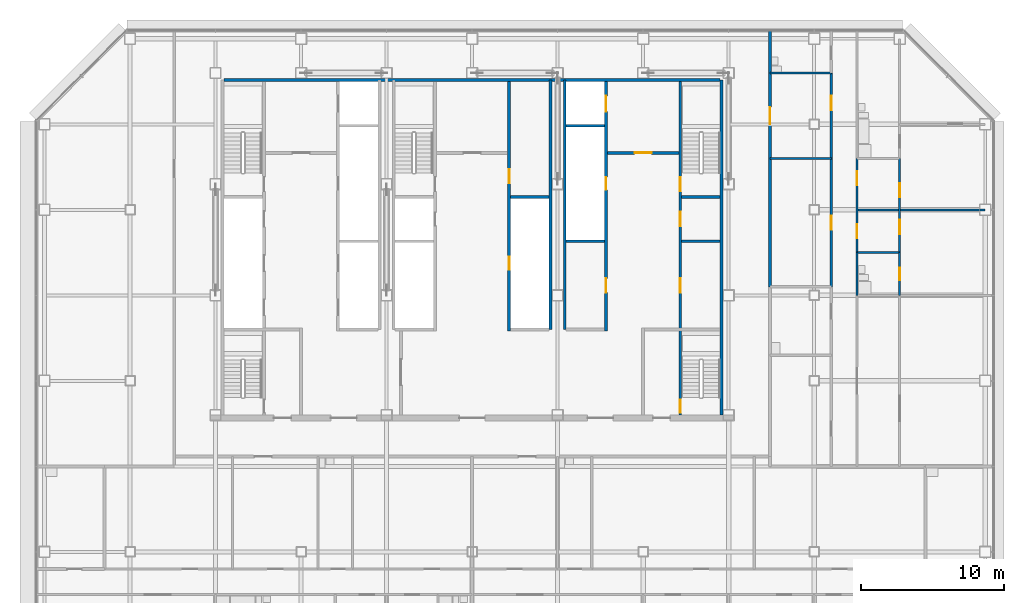
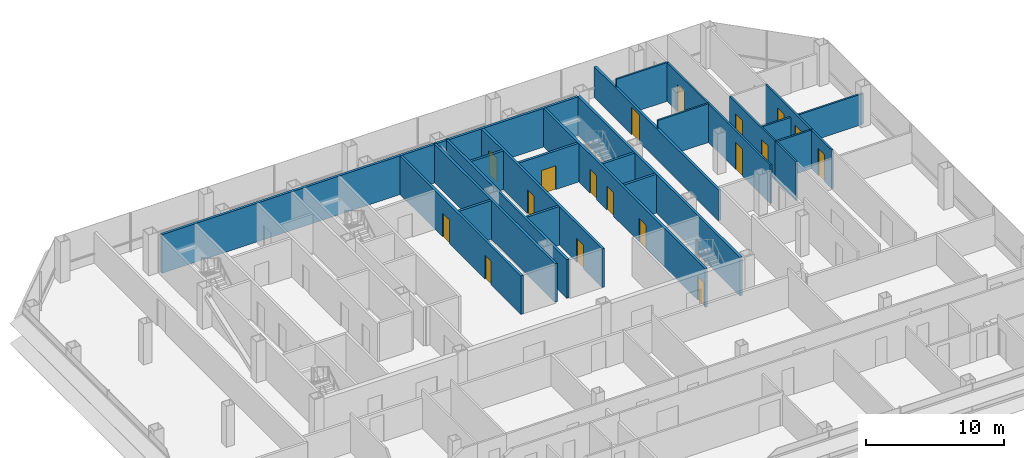
# One storey, part 22 of 25: 23 walls, 18 doors, 18 openings.
"""IFC4 building model written with IfcOpenShell, lengths in metres."""

from ifc_helpers import new_model, si_unit, direction, frame, frame_2d, origin, place, context, subcontext, project, spatial, rectangle, extrude, material, layer, layer_set, type_object, element, fill, save


model = new_model("IFC4")

# Units and contexts
model_context = context("Model", 3, precision=1e-05, world=origin(), true_north=direction((0.0, 1.0)))
body_context = subcontext(model_context, "Body", "Model", "MODEL_VIEW")
ifc_project = project(units=[si_unit("LENGTHUNIT", "METRE"), si_unit("AREAUNIT", "SQUARE_METRE"), si_unit("VOLUMEUNIT", "CUBIC_METRE"), si_unit("PLANEANGLEUNIT", "RADIAN"), si_unit("MASSUNIT", "GRAM", prefix="KILO")], contexts=[model_context])

# Site, building, storey
site_placement = place(None, origin())
site = spatial("IfcSite", under=ifc_project, at=site_placement, CompositionType="ELEMENT")
building_placement = place(site_placement, origin())
building = spatial("IfcBuilding", under=site, at=building_placement, Name="Sorahane Residences", CompositionType="ELEMENT")
storey_placement = place(building_placement, frame((0.0, 0.0, 143.800048828125)))
storey = spatial("IfcBuildingStorey", under=building, at=storey_placement, Name="L32", CompositionType="ELEMENT", Elevation=143.800048828125)

# Walls
ifc_material_1 = material(Name="Concrete C30", Category="concrete")
ifc_layer_1 = layer(ifc_material_1, 0.199951171875)
ifc_layer_set_1 = layer_set([ifc_layer_1], Name="Core face wall 200 EI 180")
wall_type_1 = type_object("IfcWallType", Name="Core face wall 200 EI 180", PredefinedType="SOLIDWALL", material=ifc_layer_set_1)
wall_1_placement = place(storey_placement, frame((41.5, 21.60009765625, 0.0), z_axis=(0.0, 0.0, 1.0), x_axis=(0.0, 1.0, 0.0)))
element("IfcWall", 1, at=wall_1_placement, inside=storey, type_object=wall_type_1, Name="L32 core face wall", PredefinedType="SOLIDWALL", context=body_context, shape_type="SweptSolid", body=[
    extrude(rectangle(XDim=23.5, YDim=0.199951171875, at=frame_2d((11.75, 0.0))), origin(), (0.0, 0.0, 1.0), 3.419921875),
])
wall_2_placement = place(storey_placement, frame((6.60009765625, 45.10009765625, 0.0), z_axis=(0.0, 0.0, 1.0), x_axis=(1.0, 0.0, 0.0)))
element("IfcWall", 2, at=wall_2_placement, inside=storey, type_object=wall_type_1, Name="L32 core face wall", PredefinedType="SOLIDWALL", context=body_context, shape_type="SweptSolid", body=[
    extrude(rectangle(XDim=34.7998046875, YDim=0.199951171875, at=frame_2d((17.39990234375, 0.0))), origin(), (0.0, 0.0, 1.0), 3.419921875),
])
for number, where, z_axis, x_axis, name in (
    (3, (29.5, 27.60009765625, 0.0), (0.0, 0.0, 1.0), (0.0, 1.0, 0.0), "L32 core face wall"),
    (4, (30.5, 27.60009765625, 0.0), (0.0, 0.0, 1.0), (0.0, 1.0, 0.0), "L32 core face wall"),
):
    element("IfcWall", number, at=place(storey_placement, frame(where, z_axis=z_axis, x_axis=x_axis)), inside=storey, type_object=wall_type_1, Name=name, PredefinedType="SOLIDWALL", context=body_context, shape_type="SweptSolid", body=[
        extrude(rectangle(XDim=17.5, YDim=0.199951171875, at=frame_2d((8.75, 0.0))), origin(), (0.0, 0.0, 1.0), 3.419921875),
    ])

# Wall, opening, door
ifc_material_2 = material(Name="Concrete blockwork C20 wall", Category="masonry")
ifc_layer_2 = layer(ifc_material_2, 0.199951171875)
ifc_layer_set_2 = layer_set([ifc_layer_2], Name="Corridor wall 200 EI 120")
wall_type_2 = type_object("IfcWallType", Name="Corridor wall 200 EI 120", PredefinedType="SOLIDWALL", material=ifc_layer_set_2)
wall_3_placement = place(storey_placement, frame((44.89990234375, 30.60009765625, 0.0), z_axis=(0.0, 0.0, 1.0), x_axis=(0.0, 1.0, 0.0)))
wall_3 = element("IfcWall", 5, at=wall_3_placement, inside=storey, type_object=wall_type_2, Name="L32 corridor wall", PredefinedType="SOLIDWALL", context=body_context, shape_type="SweptSolid", body=[
    extrude(rectangle(XDim=18.0, YDim=0.199951171875, at=frame_2d((9.0, 0.0))), origin(), (0.0, 0.0, 1.0), 2.719970703125),
])
opening_1_placement = place(wall_3_placement, frame((11.39990234375, 0.0, 0.0)))
opening_1 = element("IfcOpeningElement", 6, at=opening_1_placement, cuts=wall_3, Name="Opening L32-44", PredefinedType="OPENING", context=body_context, shape_type="SweptSolid", body=[
    extrude(rectangle(XDim=1.199951171875, YDim=2.39990234375, at=frame_2d((0.60009765625, 1.199951171875))), frame((0.0, 0.10986328125, 0.0), z_axis=(0.0, -1.0, 0.0), x_axis=(1.0, 0.0, 0.0)), (0.0, 0.0, 1.0), 0.219970703125),
])
ifc_material_3 = material(Name="Timber veneered fire door", Category="wood")
door_type_1 = type_object("IfcDoorType", Name="Flat entrance door 1200x2400 FD60", OperationType="NOTDEFINED", PredefinedType="DOOR", material=ifc_material_3)
door_1_placement = place(opening_1_placement, frame((1.199951171875, 0.0, 0.0), z_axis=(0.0, 0.0, 1.0), x_axis=(-1.0, 0.0, 0.0)))
door_1 = element("IfcDoor", 7, at=door_1_placement, inside=storey, type_object=door_type_1, Name="Flat entrance door L32-44", OperationType="SINGLE_SWING_LEFT", OverallHeight=2.39990234375, OverallWidth=1.199951171875, PredefinedType="DOOR", context=body_context, shape_type="SweptSolid", body=[
    extrude(rectangle(XDim=1.199951171875, YDim=2.39990234375, at=frame_2d((0.60009765625, 1.199951171875))), frame((0.0, 0.02490234375, 0.0), z_axis=(0.0, -1.0, 0.0), x_axis=(1.0, 0.0, 0.0)), (0.0, 0.0, 1.0), 0.050048828125),
])
fill(opening_1, door_1)

ifc_material_4 = material(Name="Concrete C30", Category="concrete")
ifc_layer_3 = layer(ifc_material_4, 0.199951171875)
ifc_layer_set_3 = layer_set([ifc_layer_3], Name="Front room wall 200 EI 120")
wall_type_3 = type_object("IfcWallType", Name="Front room wall 200 EI 120", PredefinedType="PARTITIONING", material=ifc_layer_set_3)
wall_4_placement = place(storey_placement, frame((33.5, 40.0, 0.0), z_axis=(0.0, 0.0, 1.0), x_axis=(1.0, 0.0, 0.0)))
wall_4 = element("IfcWall", 8, at=wall_4_placement, inside=storey, type_object=wall_type_3, Name="L32 front room wall", PredefinedType="PARTITIONING", context=body_context, shape_type="SweptSolid", body=[
    extrude(rectangle(XDim=5.0, YDim=0.199951171875, at=frame_2d((2.5, 0.0))), origin(), (0.0, 0.0, 1.0), 3.419921875),
])
opening_2_placement = place(wall_4_placement, frame((1.89990234375, 0.0, 0.0)))
opening_2 = element("IfcOpeningElement", 9, at=opening_2_placement, cuts=wall_4, Name="Opening L32-C09", PredefinedType="OPENING", context=body_context, shape_type="SweptSolid", body=[
    extrude(rectangle(XDim=1.199951171875, YDim=2.10009765625, at=frame_2d((0.60009765625, 1.050048828125))), frame((0.0, 0.10986328125, 0.0), z_axis=(0.0, -1.0, 0.0), x_axis=(1.0, 0.0, 0.0)), (0.0, 0.0, 1.0), 0.219970703125),
])
ifc_material_5 = material(Name="Steel", Category="steel")
door_type_2 = type_object("IfcDoorType", Name="Front room door 1200x2100 FD120", OperationType="NOTDEFINED", PredefinedType="DOOR", material=ifc_material_5)
door_2_placement = place(opening_2_placement, frame((1.199951171875, 0.0, 0.0), z_axis=(0.0, 0.0, 1.0), x_axis=(-1.0, 0.0, 0.0)))
door_2 = element("IfcDoor", 10, at=door_2_placement, inside=storey, type_object=door_type_2, Name="Front room door Firefighting lobby FF2 front room L32", OperationType="DOUBLE_DOOR_SINGLE_SWING", OverallHeight=2.10009765625, OverallWidth=1.199951171875, PredefinedType="DOOR", context=body_context, shape_type="SweptSolid", body=[
    extrude(rectangle(XDim=1.199951171875, YDim=2.10009765625, at=frame_2d((0.60009765625, 1.050048828125))), frame((0.0, 0.02490234375, 0.0), z_axis=(0.0, -1.0, 0.0), x_axis=(1.0, 0.0, 0.0)), (0.0, 0.0, 1.0), 0.050048828125),
])
fill(opening_2, door_2)

# Wall, openings, doors
ifc_material_6 = material(Name="Concrete C30", Category="concrete")
ifc_layer_4 = layer(ifc_material_6, 0.199951171875)
ifc_layer_set_4 = layer_set([ifc_layer_4], Name="Lift shaft wall 200 EI 120")
wall_type_4 = type_object("IfcWallType", Name="Lift shaft wall 200 EI 120", PredefinedType="SOLIDWALL", material=ifc_layer_set_4)
wall_5_placement = place(storey_placement, frame((33.39990234375, 27.5, 0.0), z_axis=(0.0, 0.0, 1.0), x_axis=(0.0, 1.0, 0.0)))
wall_5 = element("IfcWall", 11, at=wall_5_placement, inside=storey, type_object=wall_type_4, Name="L32 lift shaft wall", PredefinedType="SOLIDWALL", context=body_context, shape_type="SweptSolid", body=[
    extrude(rectangle(XDim=17.5, YDim=0.199951171875, at=frame_2d((8.75, 0.0))), origin(), (0.0, 0.0, 1.0), 3.419921875),
])
opening_3_placement = place(wall_5_placement, frame((15.39990234375, 0.0, 0.0)))
opening_3 = element("IfcOpeningElement", 12, at=opening_3_placement, cuts=wall_5, Name="Opening L32-C10", PredefinedType="OPENING", context=body_context, shape_type="SweptSolid", body=[
    extrude(rectangle(XDim=1.10009765625, YDim=2.10009765625, at=frame_2d((0.550048828125, 1.050048828125))), frame((0.0, 0.10986328125, 0.0), z_axis=(0.0, -1.0, 0.0), x_axis=(1.0, 0.0, 0.0)), (0.0, 0.0, 1.0), 0.219970703125),
])
opening_4_placement = place(wall_5_placement, frame((2.699951171875, 0.0, 0.0)))
opening_4 = element("IfcOpeningElement", 13, at=opening_4_placement, cuts=wall_5, Name="Opening L32-C19", PredefinedType="OPENING", context=body_context, shape_type="SweptSolid", body=[
    extrude(rectangle(XDim=1.0, YDim=2.10009765625, at=frame_2d((0.5, 1.050048828125))), frame((0.0, 0.10986328125, 0.0), z_axis=(0.0, -1.0, 0.0), x_axis=(1.0, 0.0, 0.0)), (0.0, 0.0, 1.0), 0.219970703125),
])
opening_5_placement = place(wall_5_placement, frame((9.89990234375, 0.0, 0.0)))
opening_5 = element("IfcOpeningElement", 14, at=opening_5_placement, cuts=wall_5, Name="Opening L32-C26", PredefinedType="OPENING", context=body_context, shape_type="SweptSolid", body=[
    extrude(rectangle(XDim=0.89990234375, YDim=2.10009765625, at=frame_2d((0.449951171875, 1.050048828125))), frame((0.0, 0.10986328125, 0.0), z_axis=(0.0, -1.0, 0.0), x_axis=(1.0, 0.0, 0.0)), (0.0, 0.0, 1.0), 0.219970703125),
])
ifc_material_7 = material(Name="Aluminium and stainless steel", Category="steel")
door_type_3 = type_object("IfcDoorType", Name="Lift landing door 1100x2100 E 60", OperationType="NOTDEFINED", PredefinedType="DOOR", material=ifc_material_7)
door_3_placement = place(opening_3_placement, origin())
door_3 = element("IfcDoor", 15, at=door_3_placement, inside=storey, type_object=door_type_3, Name="Lift landing door FF2 L32", OperationType="DOUBLE_DOOR_SLIDING", OverallHeight=2.10009765625, OverallWidth=1.10009765625, PredefinedType="DOOR", context=body_context, shape_type="SweptSolid", body=[
    extrude(rectangle(XDim=1.10009765625, YDim=2.10009765625, at=frame_2d((0.550048828125, 1.050048828125))), frame((0.0, 0.02490234375, 0.0), z_axis=(0.0, -1.0, 0.0), x_axis=(1.0, 0.0, 0.0)), (0.0, 0.0, 1.0), 0.050048828125),
])
fill(opening_3, door_3)
ifc_material_8 = material(Name="Steel", Category="steel")
door_type_4 = type_object("IfcDoorType", Name="Riser door 900x2100 FD120", OperationType="NOTDEFINED", PredefinedType="DOOR", material=ifc_material_8)
door_4_placement = place(opening_5_placement, frame((0.89990234375, 0.0, 0.0), z_axis=(0.0, 0.0, 1.0), x_axis=(-1.0, 0.0, 0.0)))
door_4 = element("IfcDoor", 16, at=door_4_placement, inside=storey, type_object=door_type_4, Name="Riser door R2 L32", OperationType="SINGLE_SWING_LEFT", OverallHeight=2.10009765625, OverallWidth=0.89990234375, PredefinedType="DOOR", context=body_context, shape_type="SweptSolid", body=[
    extrude(rectangle(XDim=0.89990234375, YDim=2.10009765625, at=frame_2d((0.449951171875, 1.050048828125))), frame((0.0, 0.02490234375, 0.0), z_axis=(0.0, -1.0, 0.0), x_axis=(1.0, 0.0, 0.0)), (0.0, 0.0, 1.0), 0.050048828125),
])
fill(opening_5, door_4)
ifc_material_9 = material(Name="Steel", Category="steel")
door_type_5 = type_object("IfcDoorType", Name="Service room door 1000x2100 FD60", OperationType="NOTDEFINED", PredefinedType="DOOR", material=ifc_material_9)
door_5_placement = place(opening_4_placement, origin())
door_5 = element("IfcDoor", 17, at=door_5_placement, inside=storey, type_object=door_type_5, Name="Service room door Archive L32", OperationType="SINGLE_SWING_RIGHT", OverallHeight=2.10009765625, OverallWidth=1.0, PredefinedType="DOOR", context=body_context, shape_type="SweptSolid", body=[
    extrude(rectangle(XDim=1.0, YDim=2.10009765625, at=frame_2d((0.5, 1.050048828125))), frame((0.0, 0.02490234375, 0.0), z_axis=(0.0, -1.0, 0.0), x_axis=(1.0, 0.0, 0.0)), (0.0, 0.0, 1.0), 0.050048828125),
])
fill(opening_4, door_5)

# Wall
wall_6_placement = place(storey_placement, frame((30.60009765625, 41.89990234375, 0.0), z_axis=(0.0, 0.0, 1.0), x_axis=(1.0, 0.0, 0.0)))
element("IfcWall", 18, at=wall_6_placement, inside=storey, type_object=wall_type_4, Name="L32 lift shaft wall", PredefinedType="SOLIDWALL", context=body_context, shape_type="SweptSolid", body=[
    extrude(rectangle(XDim=2.699951171875, YDim=0.199951171875, at=frame_2d((1.35009765625, 0.0))), origin(), (0.0, 0.0, 1.0), 3.419921875),
])

# Wall, openings, doors
ifc_material_10 = material(Name="Gypsum board partition on steel studs", Category="steel")
ifc_layer_5 = layer(ifc_material_10, 0.14990234375)
ifc_layer_set_5 = layer_set([ifc_layer_5], Name="Partition 150 EI 90")
wall_type_5 = type_object("IfcWallType", Name="Partition 150 EI 90", PredefinedType="PARTITIONING", material=ifc_layer_set_5)
wall_7_placement = place(storey_placement, frame((49.199951171875, 30.60009765625, 0.0), z_axis=(0.0, 0.0, 1.0), x_axis=(0.0, 1.0, 0.0)))
wall_7 = element("IfcWall", 19, at=wall_7_placement, inside=storey, type_object=wall_type_5, Name="L32 partition", PredefinedType="PARTITIONING", context=body_context, shape_type="SweptSolid", body=[
    extrude(rectangle(XDim=15.0, YDim=0.14990234375, at=frame_2d((7.5, 0.0))), origin(), (0.0, 0.0, 1.0), 3.419921875),
])
opening_6_placement = place(wall_7_placement, frame((12.39990234375, 0.0, 0.0)))
opening_6 = element("IfcOpeningElement", 20, at=opening_6_placement, cuts=wall_7, Name="Opening L32-28", PredefinedType="OPENING", context=body_context, shape_type="SweptSolid", body=[
    extrude(rectangle(XDim=1.0, YDim=2.39990234375, at=frame_2d((0.5, 1.199951171875))), frame((0.0, 0.0849609375, 0.0), z_axis=(0.0, -1.0, 0.0), x_axis=(1.0, 0.0, 0.0)), (0.0, 0.0, 1.0), 0.169921875),
])
opening_7_placement = place(wall_7_placement, frame((4.0, 0.0, 0.0)))
opening_7 = element("IfcOpeningElement", 21, at=opening_7_placement, cuts=wall_7, Name="Opening L32-31", PredefinedType="OPENING", context=body_context, shape_type="SweptSolid", body=[
    extrude(rectangle(XDim=1.0, YDim=2.39990234375, at=frame_2d((0.5, 1.199951171875))), frame((0.0, 0.0849609375, 0.0), z_axis=(0.0, -1.0, 0.0), x_axis=(1.0, 0.0, 0.0)), (0.0, 0.0, 1.0), 0.169921875),
])
ifc_material_11 = material(Name="Timber veneered fire door", Category="wood")
door_type_6 = type_object("IfcDoorType", Name="Room door 1000x2400 FD30", OperationType="NOTDEFINED", PredefinedType="DOOR", material=ifc_material_11)
door_6_placement = place(opening_6_placement, frame((1.0, 0.0, 0.0), z_axis=(0.0, 0.0, 1.0), x_axis=(-1.0, 0.0, 0.0)))
door_6 = element("IfcDoor", 22, at=door_6_placement, inside=storey, type_object=door_type_6, Name="Room door L32-28", OperationType="SINGLE_SWING_LEFT", OverallHeight=2.39990234375, OverallWidth=1.0, PredefinedType="DOOR", context=body_context, shape_type="SweptSolid", body=[
    extrude(rectangle(XDim=1.0, YDim=2.39990234375, at=frame_2d((0.5, 1.199951171875))), frame((0.0, 0.02490234375, 0.0), z_axis=(0.0, -1.0, 0.0), x_axis=(1.0, 0.0, 0.0)), (0.0, 0.0, 1.0), 0.050048828125),
])
fill(opening_6, door_6)
door_7_placement = place(opening_7_placement, origin())
door_7 = element("IfcDoor", 23, at=door_7_placement, inside=storey, type_object=door_type_6, Name="Room door L32-31", OperationType="SINGLE_SWING_LEFT", OverallHeight=2.39990234375, OverallWidth=1.0, PredefinedType="DOOR", context=body_context, shape_type="SweptSolid", body=[
    extrude(rectangle(XDim=1.0, YDim=2.39990234375, at=frame_2d((0.5, 1.199951171875))), frame((0.0, 0.02490234375, 0.0), z_axis=(0.0, -1.0, 0.0), x_axis=(1.0, 0.0, 0.0)), (0.0, 0.0, 1.0), 0.050048828125),
])
fill(opening_7, door_7)

wall_8_placement = place(storey_placement, frame((51.0, 33.0, 0.0), z_axis=(0.0, 0.0, 1.0), x_axis=(0.0, 1.0, 0.0)))
wall_8 = element("IfcWall", 24, at=wall_8_placement, inside=storey, type_object=wall_type_5, Name="L32 partition", PredefinedType="PARTITIONING", context=body_context, shape_type="SweptSolid", body=[
    extrude(rectangle(XDim=6.60009765625, YDim=0.14990234375, at=frame_2d((3.300048828125, 0.0))), origin(), (0.0, 0.0, 1.0), 3.419921875),
])
opening_8_placement = place(wall_8_placement, frame((1.0, 0.0, 0.0)))
opening_8 = element("IfcOpeningElement", 25, at=opening_8_placement, cuts=wall_8, Name="Opening L32-34", PredefinedType="OPENING", context=body_context, shape_type="SweptSolid", body=[
    extrude(rectangle(XDim=1.0, YDim=2.39990234375, at=frame_2d((0.5, 1.199951171875))), frame((0.0, 0.0849609375, 0.0), z_axis=(0.0, -1.0, 0.0), x_axis=(1.0, 0.0, 0.0)), (0.0, 0.0, 1.0), 0.169921875),
])
opening_9_placement = place(wall_8_placement, frame((4.719970703125, 0.0, 0.0)))
opening_9 = element("IfcOpeningElement", 26, at=opening_9_placement, cuts=wall_8, Name="Opening L32-35", PredefinedType="OPENING", context=body_context, shape_type="SweptSolid", body=[
    extrude(rectangle(XDim=1.0, YDim=2.39990234375, at=frame_2d((0.5, 1.199951171875))), frame((0.0, 0.0849609375, 0.0), z_axis=(0.0, -1.0, 0.0), x_axis=(1.0, 0.0, 0.0)), (0.0, 0.0, 1.0), 0.169921875),
])
door_8_placement = place(opening_8_placement, frame((1.0, 0.0, 0.0), z_axis=(0.0, 0.0, 1.0), x_axis=(-1.0, 0.0, 0.0)))
door_8 = element("IfcDoor", 27, at=door_8_placement, inside=storey, type_object=door_type_6, Name="Room door L32-34", OperationType="SINGLE_SWING_RIGHT", OverallHeight=2.39990234375, OverallWidth=1.0, PredefinedType="DOOR", context=body_context, shape_type="SweptSolid", body=[
    extrude(rectangle(XDim=1.0, YDim=2.39990234375, at=frame_2d((0.5, 1.199951171875))), frame((0.0, 0.02490234375, 0.0), z_axis=(0.0, -1.0, 0.0), x_axis=(1.0, 0.0, 0.0)), (0.0, 0.0, 1.0), 0.050048828125),
])
fill(opening_8, door_8)
door_9_placement = place(opening_9_placement, frame((1.0, 0.0, 0.0), z_axis=(0.0, 0.0, 1.0), x_axis=(-1.0, 0.0, 0.0)))
door_9 = element("IfcDoor", 28, at=door_9_placement, inside=storey, type_object=door_type_6, Name="Room door L32-35", OperationType="SINGLE_SWING_LEFT", OverallHeight=2.39990234375, OverallWidth=1.0, PredefinedType="DOOR", context=body_context, shape_type="SweptSolid", body=[
    extrude(rectangle(XDim=1.0, YDim=2.39990234375, at=frame_2d((0.5, 1.199951171875))), frame((0.0, 0.02490234375, 0.0), z_axis=(0.0, -1.0, 0.0), x_axis=(1.0, 0.0, 0.0)), (0.0, 0.0, 1.0), 0.050048828125),
])
fill(opening_9, door_9)

wall_9_placement = place(storey_placement, frame((54.0, 33.0, 0.0), z_axis=(0.0, 0.0, 1.0), x_axis=(0.0, 1.0, 0.0)))
wall_9 = element("IfcWall", 29, at=wall_9_placement, inside=storey, type_object=wall_type_5, Name="L32 partition", PredefinedType="PARTITIONING", context=body_context, shape_type="SweptSolid", body=[
    extrude(rectangle(XDim=6.60009765625, YDim=0.14990234375, at=frame_2d((3.300048828125, 0.0))), origin(), (0.0, 0.0, 1.0), 3.419921875),
])
opening_10_placement = place(wall_9_placement, frame((1.300048828125, 0.0, 0.0)))
opening_10 = element("IfcOpeningElement", 30, at=opening_10_placement, cuts=wall_9, Name="Opening L32-37", PredefinedType="OPENING", context=body_context, shape_type="SweptSolid", body=[
    extrude(rectangle(XDim=1.0, YDim=2.39990234375, at=frame_2d((0.5, 1.199951171875))), frame((0.0, 0.0849609375, 0.0), z_axis=(0.0, -1.0, 0.0), x_axis=(1.0, 0.0, 0.0)), (0.0, 0.0, 1.0), 0.169921875),
])
opening_11_placement = place(wall_9_placement, frame((3.8798828125, 0.0, 0.0)))
opening_11 = element("IfcOpeningElement", 31, at=opening_11_placement, cuts=wall_9, Name="Opening L32-39", PredefinedType="OPENING", context=body_context, shape_type="SweptSolid", body=[
    extrude(rectangle(XDim=1.0, YDim=2.39990234375, at=frame_2d((0.5, 1.199951171875))), frame((0.0, 0.0849609375, 0.0), z_axis=(0.0, -1.0, 0.0), x_axis=(1.0, 0.0, 0.0)), (0.0, 0.0, 1.0), 0.169921875),
])
door_10_placement = place(opening_10_placement, frame((1.0, 0.0, 0.0), z_axis=(0.0, 0.0, 1.0), x_axis=(-1.0, 0.0, 0.0)))
door_10 = element("IfcDoor", 32, at=door_10_placement, inside=storey, type_object=door_type_6, Name="Room door L32-37", OperationType="SINGLE_SWING_RIGHT", OverallHeight=2.39990234375, OverallWidth=1.0, PredefinedType="DOOR", context=body_context, shape_type="SweptSolid", body=[
    extrude(rectangle(XDim=1.0, YDim=2.39990234375, at=frame_2d((0.5, 1.199951171875))), frame((0.0, 0.02490234375, 0.0), z_axis=(0.0, -1.0, 0.0), x_axis=(1.0, 0.0, 0.0)), (0.0, 0.0, 1.0), 0.050048828125),
])
fill(opening_10, door_10)
door_11_placement = place(opening_11_placement, frame((1.0, 0.0, 0.0), z_axis=(0.0, 0.0, 1.0), x_axis=(-1.0, 0.0, 0.0)))
door_11 = element("IfcDoor", 33, at=door_11_placement, inside=storey, type_object=door_type_6, Name="Room door L32-39", OperationType="SINGLE_SWING_LEFT", OverallHeight=2.39990234375, OverallWidth=1.0, PredefinedType="DOOR", context=body_context, shape_type="SweptSolid", body=[
    extrude(rectangle(XDim=1.0, YDim=2.39990234375, at=frame_2d((0.5, 1.199951171875))), frame((0.0, 0.02490234375, 0.0), z_axis=(0.0, -1.0, 0.0), x_axis=(1.0, 0.0, 0.0)), (0.0, 0.0, 1.0), 0.050048828125),
])
fill(opening_11, door_11)

# Walls
wall_10_placement = place(storey_placement, frame((51.0, 36.0, 0.0), z_axis=(0.0, 0.0, 1.0), x_axis=(1.0, 0.0, 0.0)))
element("IfcWall", 34, at=wall_10_placement, inside=storey, type_object=wall_type_5, Name="L32 partition", PredefinedType="PARTITIONING", context=body_context, shape_type="SweptSolid", body=[
    extrude(rectangle(XDim=9.0, YDim=0.14990234375, at=frame_2d((4.5, 0.0))), origin(), (0.0, 0.0, 1.0), 2.719970703125),
])
wall_11_placement = place(storey_placement, frame((44.89990234375, 39.60009765625, 0.0), z_axis=(0.0, 0.0, 1.0), x_axis=(1.0, 0.0, 0.0)))
element("IfcWall", 35, at=wall_11_placement, inside=storey, type_object=wall_type_5, Name="L32 partition", PredefinedType="PARTITIONING", context=body_context, shape_type="SweptSolid", body=[
    extrude(rectangle(XDim=4.300048828125, YDim=0.14990234375, at=frame_2d((2.14990234375, 0.0))), origin(), (0.0, 0.0, 1.0), 3.419921875),
])

# Wall, openings, doors
ifc_material_12 = material(Name="Concrete C30", Category="concrete")
ifc_layer_6 = layer(ifc_material_12, 0.199951171875)
ifc_layer_set_6 = layer_set([ifc_layer_6], Name="Riser shaft wall 200 EI 120")
wall_type_6 = type_object("IfcWallType", Name="Riser shaft wall 200 EI 120", PredefinedType="SOLIDWALL", material=ifc_layer_set_6)
wall_12_placement = place(storey_placement, frame((26.60009765625, 27.5, 0.0), z_axis=(0.0, 0.0, 1.0), x_axis=(0.0, 1.0, 0.0)))
wall_12 = element("IfcWall", 36, at=wall_12_placement, inside=storey, type_object=wall_type_6, Name="L32 riser wall", PredefinedType="SOLIDWALL", context=body_context, shape_type="SweptSolid", body=[
    extrude(rectangle(XDim=17.5, YDim=0.199951171875, at=frame_2d((8.75, 0.0))), origin(), (0.0, 0.0, 1.0), 3.419921875),
])
opening_12_placement = place(wall_12_placement, frame((4.300048828125, 0.0, 0.0)))
opening_12 = element("IfcOpeningElement", 37, at=opening_12_placement, cuts=wall_12, Name="Opening L32-C28", PredefinedType="OPENING", context=body_context, shape_type="SweptSolid", body=[
    extrude(rectangle(XDim=0.89990234375, YDim=2.10009765625, at=frame_2d((0.449951171875, 1.050048828125))), frame((0.0, 0.10986328125, 0.0), z_axis=(0.0, -1.0, 0.0), x_axis=(1.0, 0.0, 0.0)), (0.0, 0.0, 1.0), 0.219970703125),
])
opening_13_placement = place(wall_12_placement, frame((10.35009765625, 0.0, 0.0)))
opening_13 = element("IfcOpeningElement", 38, at=opening_13_placement, cuts=wall_12, Name="Opening L32-C29", PredefinedType="OPENING", context=body_context, shape_type="SweptSolid", body=[
    extrude(rectangle(XDim=1.0, YDim=2.10009765625, at=frame_2d((0.5, 1.050048828125))), frame((0.0, 0.10986328125, 0.0), z_axis=(0.0, -1.0, 0.0), x_axis=(1.0, 0.0, 0.0)), (0.0, 0.0, 1.0), 0.219970703125),
])
door_12_placement = place(opening_12_placement, origin())
door_12 = element("IfcDoor", 39, at=door_12_placement, inside=storey, type_object=door_type_4, Name="Riser door R4 L32", OperationType="SINGLE_SWING_LEFT", OverallHeight=2.10009765625, OverallWidth=0.89990234375, PredefinedType="DOOR", context=body_context, shape_type="SweptSolid", body=[
    extrude(rectangle(XDim=0.89990234375, YDim=2.10009765625, at=frame_2d((0.449951171875, 1.050048828125))), frame((0.0, 0.02490234375, 0.0), z_axis=(0.0, -1.0, 0.0), x_axis=(1.0, 0.0, 0.0)), (0.0, 0.0, 1.0), 0.050048828125),
])
fill(opening_12, door_12)
door_13_placement = place(opening_13_placement, frame((1.0, 0.0, 0.0), z_axis=(0.0, 0.0, 1.0), x_axis=(-1.0, 0.0, 0.0)))
door_13 = element("IfcDoor", 40, at=door_13_placement, inside=storey, type_object=door_type_5, Name="Service room door Housekeeping store L32", OperationType="SINGLE_SWING_LEFT", OverallHeight=2.10009765625, OverallWidth=1.0, PredefinedType="DOOR", context=body_context, shape_type="SweptSolid", body=[
    extrude(rectangle(XDim=1.0, YDim=2.10009765625, at=frame_2d((0.5, 1.050048828125))), frame((0.0, 0.02490234375, 0.0), z_axis=(0.0, -1.0, 0.0), x_axis=(1.0, 0.0, 0.0)), (0.0, 0.0, 1.0), 0.050048828125),
])
fill(opening_13, door_13)

# Walls
for number, where, z_axis, x_axis, name in (
    (41, (30.60009765625, 33.800048828125, 0.0), (0.0, 0.0, 1.0), (1.0, 0.0, 0.0), "L32 riser wall"),
    (42, (26.699951171875, 36.89990234375, 0.0), (0.0, 0.0, 1.0), (1.0, 0.0, 0.0), "L32 riser wall"),
):
    element("IfcWall", number, at=place(storey_placement, frame(where, z_axis=z_axis, x_axis=x_axis)), inside=storey, type_object=wall_type_6, Name=name, PredefinedType="SOLIDWALL", context=body_context, shape_type="SweptSolid", body=[
        extrude(rectangle(XDim=2.699951171875, YDim=0.199951171875, at=frame_2d((1.35009765625, 0.0))), origin(), (0.0, 0.0, 1.0), 3.419921875),
    ])
ifc_material_13 = material(Name="Concrete C30", Category="concrete")
ifc_layer_7 = layer(ifc_material_13, 0.199951171875)
ifc_layer_set_7 = layer_set([ifc_layer_7], Name="Service room partition 200 EI 60")
wall_type_7 = type_object("IfcWallType", Name="Service room partition 200 EI 60", PredefinedType="PARTITIONING", material=ifc_layer_set_7)
wall_13_placement = place(storey_placement, frame((38.699951171875, 33.800048828125, 0.0), z_axis=(0.0, 0.0, 1.0), x_axis=(1.0, 0.0, 0.0)))
element("IfcWall", 43, at=wall_13_placement, inside=storey, type_object=wall_type_7, Name="L32 service room wall", PredefinedType="PARTITIONING", context=body_context, shape_type="SweptSolid", body=[
    extrude(rectangle(XDim=2.699951171875, YDim=0.199951171875, at=frame_2d((1.35009765625, 0.0))), origin(), (0.0, 0.0, 1.0), 3.419921875),
])

# Wall, openings, doors
ifc_material_14 = material(Name="Concrete C30", Category="concrete")
ifc_layer_8 = layer(ifc_material_14, 0.199951171875)
ifc_layer_set_8 = layer_set([ifc_layer_8], Name="Stair enclosure wall 200 EI 120")
wall_type_8 = type_object("IfcWallType", Name="Stair enclosure wall 200 EI 120", PredefinedType="SOLIDWALL", material=ifc_layer_set_8)
wall_14_placement = place(storey_placement, frame((38.60009765625, 21.60009765625, 0.0), z_axis=(0.0, 0.0, 1.0), x_axis=(0.0, 1.0, 0.0)))
wall_14 = element("IfcWall", 44, at=wall_14_placement, inside=storey, type_object=wall_type_8, Name="L32 stair enclosure wall", PredefinedType="SOLIDWALL", context=body_context, shape_type="SweptSolid", body=[
    extrude(rectangle(XDim=23.39990234375, YDim=0.199951171875, at=frame_2d((11.699951171875, 0.0))), origin(), (0.0, 0.0, 1.0), 3.419921875),
])
opening_14_placement = place(wall_14_placement, frame((8.60009765625, 0.0, 0.0)))
opening_14 = element("IfcOpeningElement", 45, at=opening_14_placement, cuts=wall_14, Name="Opening L32-C17", PredefinedType="OPENING", context=body_context, shape_type="SweptSolid", body=[
    extrude(rectangle(XDim=1.0, YDim=2.10009765625, at=frame_2d((0.5, 1.050048828125))), frame((0.0, 0.10986328125, 0.0), z_axis=(0.0, -1.0, 0.0), x_axis=(1.0, 0.0, 0.0)), (0.0, 0.0, 1.0), 0.219970703125),
])
opening_15_placement = place(wall_14_placement, frame((13.25, 0.0, 0.0)))
opening_15 = element("IfcOpeningElement", 46, at=opening_15_placement, cuts=wall_14, Name="Opening L32-C18", PredefinedType="OPENING", context=body_context, shape_type="SweptSolid", body=[
    extrude(rectangle(XDim=1.0, YDim=2.10009765625, at=frame_2d((0.5, 1.050048828125))), frame((0.0, 0.10986328125, 0.0), z_axis=(0.0, -1.0, 0.0), x_axis=(1.0, 0.0, 0.0)), (0.0, 0.0, 1.0), 0.219970703125),
])
opening_16_placement = place(wall_14_placement, frame((15.699951171875, 0.0, 0.0)))
opening_16 = element("IfcOpeningElement", 47, at=opening_16_placement, cuts=wall_14, Name="Opening L32-C21", PredefinedType="OPENING", context=body_context, shape_type="SweptSolid", body=[
    extrude(rectangle(XDim=1.0, YDim=2.10009765625, at=frame_2d((0.5, 1.050048828125))), frame((0.0, 0.10986328125, 0.0), z_axis=(0.0, -1.0, 0.0), x_axis=(1.0, 0.0, 0.0)), (0.0, 0.0, 1.0), 0.219970703125),
])
opening_17_placement = place(wall_14_placement, frame((0.175048828125, 0.0, 0.0)))
opening_17 = element("IfcOpeningElement", 48, at=opening_17_placement, cuts=wall_14, Name="Opening L32-C24", PredefinedType="OPENING", context=body_context, shape_type="SweptSolid", body=[
    extrude(rectangle(XDim=0.89990234375, YDim=2.10009765625, at=frame_2d((0.449951171875, 1.050048828125))), frame((0.0, 0.10986328125, 0.0), z_axis=(0.0, -1.0, 0.0), x_axis=(1.0, 0.0, 0.0)), (0.0, 0.0, 1.0), 0.219970703125),
])
door_14_placement = place(opening_14_placement, frame((1.0, 0.0, 0.0), z_axis=(0.0, 0.0, 1.0), x_axis=(-1.0, 0.0, 0.0)))
door_14 = element("IfcDoor", 49, at=door_14_placement, inside=storey, type_object=door_type_5, Name="Service room door Archive L32", OperationType="SINGLE_SWING_RIGHT", OverallHeight=2.10009765625, OverallWidth=1.0, PredefinedType="DOOR", context=body_context, shape_type="SweptSolid", body=[
    extrude(rectangle(XDim=1.0, YDim=2.10009765625, at=frame_2d((0.5, 1.050048828125))), frame((0.0, 0.02490234375, 0.0), z_axis=(0.0, -1.0, 0.0), x_axis=(1.0, 0.0, 0.0)), (0.0, 0.0, 1.0), 0.050048828125),
])
fill(opening_14, door_14)
door_15_placement = place(opening_15_placement, frame((1.0, 0.0, 0.0), z_axis=(0.0, 0.0, 1.0), x_axis=(-1.0, 0.0, 0.0)))
door_15 = element("IfcDoor", 50, at=door_15_placement, inside=storey, type_object=door_type_5, Name="Service room door Flower room L32", OperationType="SINGLE_SWING_LEFT", OverallHeight=2.10009765625, OverallWidth=1.0, PredefinedType="DOOR", context=body_context, shape_type="SweptSolid", body=[
    extrude(rectangle(XDim=1.0, YDim=2.10009765625, at=frame_2d((0.5, 1.050048828125))), frame((0.0, 0.02490234375, 0.0), z_axis=(0.0, -1.0, 0.0), x_axis=(1.0, 0.0, 0.0)), (0.0, 0.0, 1.0), 0.050048828125),
])
fill(opening_15, door_15)
ifc_material_15 = material(Name="Steel", Category="steel")
door_type_7 = type_object("IfcDoorType", Name="Stair door 1000x2100 FD120", OperationType="NOTDEFINED", PredefinedType="DOOR", material=ifc_material_15)
door_16_placement = place(opening_16_placement, frame((1.0, 0.0, 0.0), z_axis=(0.0, 0.0, 1.0), x_axis=(-1.0, 0.0, 0.0)))
door_16 = element("IfcDoor", 51, at=door_16_placement, inside=storey, type_object=door_type_7, Name="Stair door S2 L32", OperationType="SINGLE_SWING_LEFT", OverallHeight=2.10009765625, OverallWidth=1.0, PredefinedType="DOOR", context=body_context, shape_type="SweptSolid", body=[
    extrude(rectangle(XDim=1.0, YDim=2.10009765625, at=frame_2d((0.5, 1.050048828125))), frame((0.0, 0.02490234375, 0.0), z_axis=(0.0, -1.0, 0.0), x_axis=(1.0, 0.0, 0.0)), (0.0, 0.0, 1.0), 0.050048828125),
])
fill(opening_16, door_16)
ifc_material_16 = material(Name="Steel", Category="steel")
door_type_8 = type_object("IfcDoorType", Name="Stair door 900x2100 FD120", OperationType="NOTDEFINED", PredefinedType="DOOR", material=ifc_material_16)
door_17_placement = place(opening_17_placement, frame((0.89990234375, 0.0, 0.0), z_axis=(0.0, 0.0, 1.0), x_axis=(-1.0, 0.0, 0.0)))
door_17 = element("IfcDoor", 52, at=door_17_placement, inside=storey, type_object=door_type_8, Name="Stair door S5 L32", OperationType="SINGLE_SWING_LEFT", OverallHeight=2.10009765625, OverallWidth=0.89990234375, PredefinedType="DOOR", context=body_context, shape_type="SweptSolid", body=[
    extrude(rectangle(XDim=0.89990234375, YDim=2.10009765625, at=frame_2d((0.449951171875, 1.050048828125))), frame((0.0, 0.02490234375, 0.0), z_axis=(0.0, -1.0, 0.0), x_axis=(1.0, 0.0, 0.0)), (0.0, 0.0, 1.0), 0.050048828125),
])
fill(opening_17, door_17)

# Walls
wall_15_placement = place(storey_placement, frame((38.699951171875, 36.89990234375, 0.0), z_axis=(0.0, 0.0, 1.0), x_axis=(1.0, 0.0, 0.0)))
element("IfcWall", 53, at=wall_15_placement, inside=storey, type_object=wall_type_8, Name="L32 stair enclosure wall", PredefinedType="SOLIDWALL", context=body_context, shape_type="SweptSolid", body=[
    extrude(rectangle(XDim=2.699951171875, YDim=0.199951171875, at=frame_2d((1.35009765625, 0.0))), origin(), (0.0, 0.0, 1.0), 3.419921875),
])
ifc_material_17 = material(Name="Gypsum board partition on steel studs", Category="steel")
ifc_layer_9 = layer(ifc_material_17, 0.14990234375)
ifc_layer_set_9 = layer_set([ifc_layer_9], Name="Wet wall 150 EI 90")
wall_type_9 = type_object("IfcWallType", Name="Wet wall 150 EI 90", PredefinedType="PARTITIONING", material=ifc_layer_set_9)
wall_16_placement = place(storey_placement, frame((51.0, 30.0, 0.0), z_axis=(0.0, 0.0, 1.0), x_axis=(0.0, 1.0, 0.0)))
element("IfcWall", 54, at=wall_16_placement, inside=storey, type_object=wall_type_9, Name="L32 wet wall", PredefinedType="PARTITIONING", context=body_context, shape_type="SweptSolid", body=[
    extrude(rectangle(XDim=3.0, YDim=0.14990234375, at=frame_2d((1.5, 0.0))), origin(), (0.0, 0.0, 1.0), 3.419921875),
])

# Wall, opening, door
wall_17_placement = place(storey_placement, frame((54.0, 30.0, 0.0), z_axis=(0.0, 0.0, 1.0), x_axis=(0.0, 1.0, 0.0)))
wall_17 = element("IfcWall", 55, at=wall_17_placement, inside=storey, type_object=wall_type_9, Name="L32 wet wall", PredefinedType="PARTITIONING", context=body_context, shape_type="SweptSolid", body=[
    extrude(rectangle(XDim=3.0, YDim=0.14990234375, at=frame_2d((1.5, 0.0))), origin(), (0.0, 0.0, 1.0), 3.419921875),
])
opening_18_placement = place(wall_17_placement, frame((1.050048828125, 0.0, 0.0)))
opening_18 = element("IfcOpeningElement", 56, at=opening_18_placement, cuts=wall_17, Name="Opening L32-38", PredefinedType="OPENING", context=body_context, shape_type="SweptSolid", body=[
    extrude(rectangle(XDim=0.89990234375, YDim=2.39990234375, at=frame_2d((0.449951171875, 1.199951171875))), frame((0.0, 0.0849609375, 0.0), z_axis=(0.0, -1.0, 0.0), x_axis=(1.0, 0.0, 0.0)), (0.0, 0.0, 1.0), 0.169921875),
])
ifc_material_18 = material(Name="Timber veneered fire door", Category="wood")
door_type_9 = type_object("IfcDoorType", Name="Bathroom door 900x2400 FD30", OperationType="NOTDEFINED", PredefinedType="DOOR", material=ifc_material_18)
door_18_placement = place(opening_18_placement, frame((0.89990234375, 0.0, 0.0), z_axis=(0.0, 0.0, 1.0), x_axis=(-1.0, 0.0, 0.0)))
door_18 = element("IfcDoor", 57, at=door_18_placement, inside=storey, type_object=door_type_9, Name="Bathroom door L32-38", OperationType="SINGLE_SWING_LEFT", OverallHeight=2.39990234375, OverallWidth=0.89990234375, PredefinedType="DOOR", context=body_context, shape_type="SweptSolid", body=[
    extrude(rectangle(XDim=0.89990234375, YDim=2.39990234375, at=frame_2d((0.449951171875, 1.199951171875))), frame((0.0, 0.02490234375, 0.0), z_axis=(0.0, -1.0, 0.0), x_axis=(1.0, 0.0, 0.0)), (0.0, 0.0, 1.0), 0.050048828125),
])
fill(opening_18, door_18)

# Walls
wall_18_placement = place(storey_placement, frame((51.0, 33.0, 0.0), z_axis=(0.0, 0.0, 1.0), x_axis=(1.0, 0.0, 0.0)))
element("IfcWall", 58, at=wall_18_placement, inside=storey, type_object=wall_type_9, Name="L32 wet wall", PredefinedType="PARTITIONING", context=body_context, shape_type="SweptSolid", body=[
    extrude(rectangle(XDim=3.0, YDim=0.14990234375, at=frame_2d((1.5, 0.0))), origin(), (0.0, 0.0, 1.0), 3.419921875),
])
wall_19_placement = place(storey_placement, frame((44.89990234375, 45.60009765625, 0.0), z_axis=(0.0, 0.0, 1.0), x_axis=(1.0, 0.0, 0.0)))
element("IfcWall", 59, at=wall_19_placement, inside=storey, type_object=wall_type_9, Name="L32 wet wall", PredefinedType="PARTITIONING", context=body_context, shape_type="SweptSolid", body=[
    extrude(rectangle(XDim=4.300048828125, YDim=0.14990234375, at=frame_2d((2.14990234375, 0.0))), origin(), (0.0, 0.0, 1.0), 3.419921875),
])

save(model, "model.ifc")
